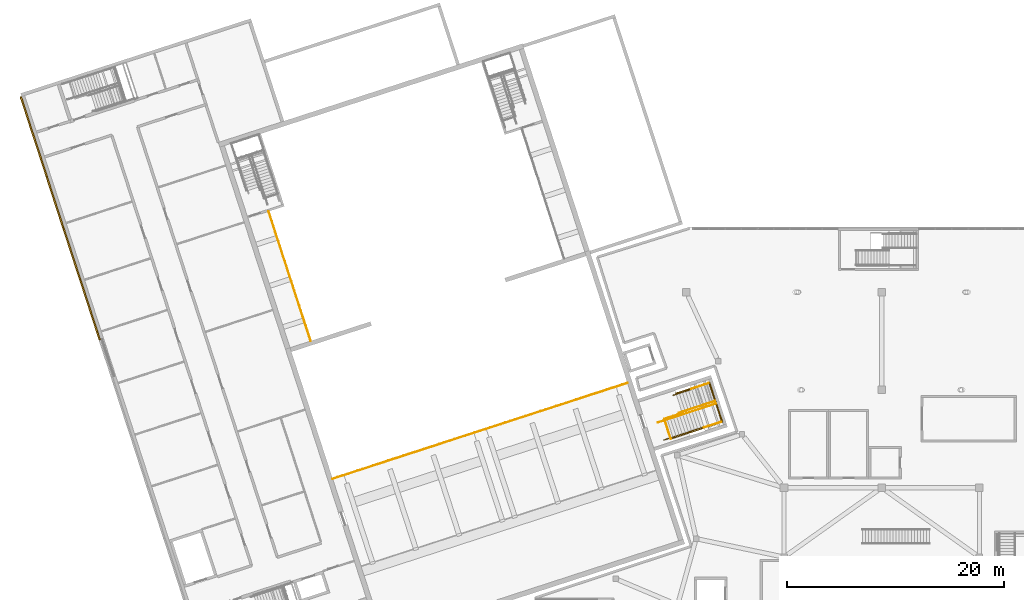
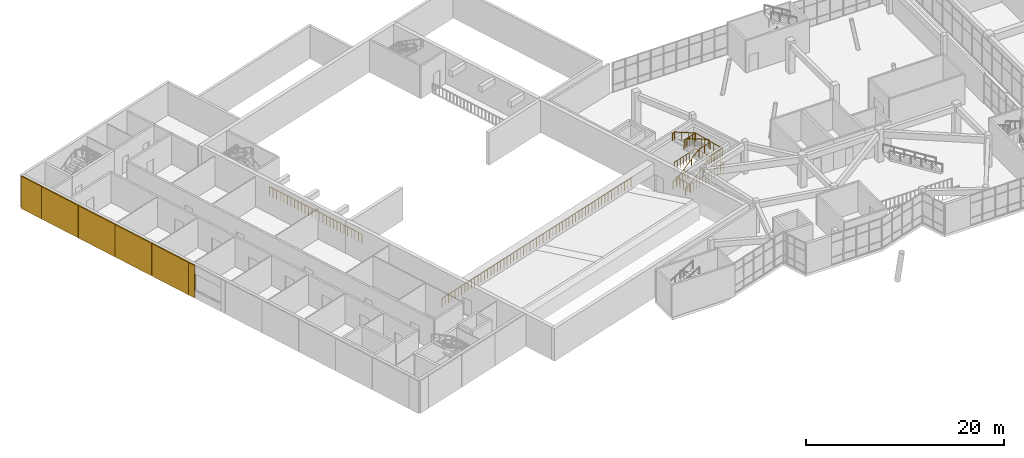
# One storey, part 61 of 66: 8 railings, 6 coverings.
"""IFC4 building model written with IfcOpenShell, lengths in metres."""

from ifc_helpers import new_model, si_unit, direction, frame, origin, origin_2d, place, context, subcontext, project, spatial, polyline, circle, outline, extrude, material, layer, layer_set, type_object, element, save


model = new_model("IFC4")

# Units and contexts
model_context = context("Model", 3, precision=1e-05, world=origin(), true_north=direction((0.0, 1.0)))
body_context = subcontext(model_context, "Body", "Model", "MODEL_VIEW")
ifc_project = project(units=[si_unit("LENGTHUNIT", "METRE"), si_unit("AREAUNIT", "SQUARE_METRE"), si_unit("VOLUMEUNIT", "CUBIC_METRE"), si_unit("PLANEANGLEUNIT", "RADIAN"), si_unit("MASSUNIT", "GRAM", prefix="KILO")], contexts=[model_context])

# Site, building, storey
site_placement = place(None, origin())
site = spatial("IfcSite", under=ifc_project, at=site_placement, CompositionType="ELEMENT")
building_placement = place(site_placement, origin())
building = spatial("IfcBuilding", under=site, at=building_placement, Name="Tuart Plaza Theatre", CompositionType="ELEMENT")
storey_placement = place(building_placement, frame((0.0, 0.0, 5.5)))
storey = spatial("IfcBuildingStorey", under=building, at=storey_placement, Name="L01", CompositionType="ELEMENT", Elevation=5.5)

# Coverings
ifc_material_1 = material(Name="Zinc")
ifc_layer = layer(ifc_material_1, 0.14990234375)
ifc_layer_set = layer_set([ifc_layer], Name="COVERING-ZINC-RAINSCREEN150")
covering_type = type_object("IfcCoveringType", Name="COVERING-ZINC-RAINSCREEN150", PredefinedType="CLADDING", material=ifc_layer_set)
covering_1_placement = place(storey_placement, origin())
element("IfcCovering", 1, at=covering_1_placement, inside=storey, type_object=covering_type, Name="CL140", PredefinedType="CLADDING", context=body_context, shape_type="SweptSolid", body=[
    extrude(outline(polyline([(23.8984375, 69.584228515625), (23.654296875, 70.335693359375), (23.797119140625, 70.3818359375), (24.041259765625, 69.630615234375), (23.8984375, 69.584228515625)])), origin(), (0.0, 0.0, 1.0), 4.0),
])
covering_2_placement = place(storey_placement, origin())
element("IfcCovering", 2, at=covering_2_placement, inside=storey, type_object=covering_type, Name="CL141", PredefinedType="CLADDING", context=body_context, shape_type="SweptSolid", body=[
    extrude(outline(polyline([(23.648193359375, 70.3544921875), (22.109375, 75.0908203125), (22.251953125, 75.13720703125), (23.791015625, 70.40087890625), (23.648193359375, 70.3544921875)])), origin(), (0.0, 0.0, 1.0), 4.0),
])
covering_3_placement = place(storey_placement, origin())
element("IfcCovering", 3, at=covering_3_placement, inside=storey, type_object=covering_type, Name="CL142", PredefinedType="CLADDING", context=body_context, shape_type="SweptSolid", body=[
    extrude(outline(polyline([(22.10302734375, 75.10986328125), (20.564208984375, 79.84619140625), (20.706787109375, 79.892578125), (22.245849609375, 75.15625), (22.10302734375, 75.10986328125)])), origin(), (0.0, 0.0, 1.0), 4.0),
])
covering_4_placement = place(storey_placement, origin())
element("IfcCovering", 4, at=covering_4_placement, inside=storey, type_object=covering_type, Name="CL143", PredefinedType="CLADDING", context=body_context, shape_type="SweptSolid", body=[
    extrude(outline(polyline([(20.55810546875, 79.865234375), (19.01904296875, 84.601318359375), (19.161865234375, 84.647705078125), (20.70068359375, 79.91162109375), (20.55810546875, 79.865234375)])), origin(), (0.0, 0.0, 1.0), 4.0),
])
covering_5_placement = place(storey_placement, origin())
element("IfcCovering", 5, at=covering_5_placement, inside=storey, type_object=covering_type, Name="CL144", PredefinedType="CLADDING", context=body_context, shape_type="SweptSolid", body=[
    extrude(outline(polyline([(19.012939453125, 84.62060546875), (17.47412109375, 89.356689453125), (17.61669921875, 89.403076171875), (19.155517578125, 84.666748046875), (19.012939453125, 84.62060546875)])), origin(), (0.0, 0.0, 1.0), 4.0),
])
covering_6_placement = place(storey_placement, origin())
element("IfcCovering", 6, at=covering_6_placement, inside=storey, type_object=covering_type, Name="CL145", PredefinedType="CLADDING", context=body_context, shape_type="SweptSolid", body=[
    extrude(outline(polyline([(17.468017578125, 89.375732421875), (16.62109375, 91.981689453125), (16.763916015625, 92.028076171875), (17.610595703125, 89.422119140625), (17.468017578125, 89.375732421875)])), origin(), (0.0, 0.0, 1.0), 4.0),
])

# Railings
ifc_material_2 = material(Name="Steel Grade C350L0", Category="steel")
railing_type_1 = type_object("IfcRailingType", Name="RAILING Guard 1100", PredefinedType="GUARDRAIL", material=ifc_material_2)
railing_1_placement = place(storey_placement, frame((76.571533203125, 60.490966796875, 0.0)))
element("IfcRailing", 7, at=railing_1_placement, inside=storey, type_object=railing_type_1, Name="GR37", PredefinedType="GUARDRAIL", context=body_context, shape_type="SweptSolid", body=[
    extrude(circle(Radius=0.02490234375, at=origin_2d()), frame((0.0, 0.0, 1.0751953125), z_axis=(-0.309065998639, 0.951040592449, 0.0), x_axis=(-0.951040592449, -0.309065998639, 0.0)), (0.0, 0.0, 1.0), 1.925048828125),
    extrude(circle(Radius=0.02490234375, at=origin_2d()), frame((-0.594970703125, 1.830810546875, 1.0751953125), z_axis=(0.951035090951, 0.309082927028, 0.0), x_axis=(-0.309082927028, 0.951035090951, 0.0)), (0.0, 0.0, 1.0), 1.755126953125),
    extrude(circle(Radius=0.02001953125, at=origin_2d()), origin(), (0.0, 0.0, 1.0), 1.050048828125),
    extrude(circle(Radius=0.02001953125, at=origin_2d()), frame((-0.148681640625, 0.457763671875, 0.0)), (0.0, 0.0, 1.0), 1.050048828125),
    extrude(circle(Radius=0.02001953125, at=origin_2d()), frame((-0.29736328125, 0.91552734375, 0.0)), (0.0, 0.0, 1.0), 1.050048828125),
    extrude(circle(Radius=0.02001953125, at=origin_2d()), frame((-0.4462890625, 1.373046875, 0.0)), (0.0, 0.0, 1.0), 1.050048828125),
    extrude(circle(Radius=0.02001953125, at=origin_2d()), frame((-0.594970703125, 1.830810546875, 0.0)), (0.0, 0.0, 1.0), 1.050048828125),
    extrude(circle(Radius=0.02001953125, at=origin_2d()), frame((-0.177734375, 1.96630859375, 0.0)), (0.0, 0.0, 1.0), 1.050048828125),
    extrude(circle(Radius=0.02001953125, at=origin_2d()), frame((0.23974609375, 2.10205078125, 0.0)), (0.0, 0.0, 1.0), 1.050048828125),
    extrude(circle(Radius=0.02001953125, at=origin_2d()), frame((0.656982421875, 2.23779296875, 0.0)), (0.0, 0.0, 1.0), 1.050048828125),
    extrude(circle(Radius=0.02001953125, at=origin_2d()), frame((1.07421875, 2.373291015625, 0.0)), (0.0, 0.0, 1.0), 1.050048828125),
])
railing_2_placement = place(storey_placement, frame((77.069580078125, 64.65380859375, 0.0)))
element("IfcRailing", 8, at=railing_2_placement, inside=storey, type_object=railing_type_1, Name="GR38", PredefinedType="GUARDRAIL", context=body_context, shape_type="SweptSolid", body=[
    extrude(circle(Radius=0.02490234375, at=origin_2d()), frame((0.0, 0.0, 1.0751953125), z_axis=(-0.309700291463, 0.950834228174, 0.0), x_axis=(-0.950834228174, -0.309700291463, 0.0)), (0.0, 0.0, 1.0), 0.044921875),
    extrude(circle(Radius=0.02490234375, at=origin_2d()), frame((-0.013916015625, 0.042724609375, 1.0751953125), z_axis=(0.951056113966, 0.309018232614, 0.0), x_axis=(-0.309018232614, 0.951056113966, 0.0)), (0.0, 0.0, 1.0), 3.255126953125),
    extrude(circle(Radius=0.02490234375, at=origin_2d()), frame((3.081787109375, 1.048583984375, 1.0751953125), z_axis=(0.30900864294, -0.9510592298, 0.0), x_axis=(0.9510592298, 0.30900864294, 0.0)), (0.0, 0.0, 1.0), 3.85009765625),
    extrude(circle(Radius=0.02490234375, at=origin_2d()), frame((4.271484375, -2.613037109375, 1.0751953125), z_axis=(-0.951051239427, -0.309033234433, 0.0), x_axis=(0.309033234433, -0.951051239427, 0.0)), (0.0, 0.0, 1.0), 5.014892578125),
    extrude(circle(Radius=0.02001953125, at=origin_2d()), origin(), (0.0, 0.0, 1.0), 1.050048828125),
    extrude(circle(Radius=0.02001953125, at=origin_2d()), frame((-0.013916015625, 0.042724609375, 0.0)), (0.0, 0.0, 1.0), 1.050048828125),
    extrude(circle(Radius=0.02001953125, at=origin_2d()), frame((0.42822265625, 0.1865234375, 0.0)), (0.0, 0.0, 1.0), 1.050048828125),
    extrude(circle(Radius=0.02001953125, at=origin_2d()), frame((0.87060546875, 0.330078125, 0.0)), (0.0, 0.0, 1.0), 1.050048828125),
    extrude(circle(Radius=0.02001953125, at=origin_2d()), frame((1.312744140625, 0.473876953125, 0.0)), (0.0, 0.0, 1.0), 1.050048828125),
    extrude(circle(Radius=0.02001953125, at=origin_2d()), frame((1.755126953125, 0.617431640625, 0.0)), (0.0, 0.0, 1.0), 1.050048828125),
    extrude(circle(Radius=0.02001953125, at=origin_2d()), frame((2.197265625, 0.76123046875, 0.0)), (0.0, 0.0, 1.0), 1.050048828125),
    extrude(circle(Radius=0.02001953125, at=origin_2d()), frame((2.6396484375, 0.90478515625, 0.0)), (0.0, 0.0, 1.0), 1.050048828125),
    extrude(circle(Radius=0.02001953125, at=origin_2d()), frame((3.081787109375, 1.048583984375, 0.0)), (0.0, 0.0, 1.0), 1.050048828125),
    extrude(circle(Radius=0.02001953125, at=origin_2d()), frame((3.23046875, 0.5908203125, 0.0)), (0.0, 0.0, 1.0), 1.050048828125),
    extrude(circle(Radius=0.02001953125, at=origin_2d()), frame((3.379150390625, 0.13330078125, 0.0)), (0.0, 0.0, 1.0), 1.050048828125),
    extrude(circle(Radius=0.02001953125, at=origin_2d()), frame((3.52783203125, -0.324462890625, 0.0)), (0.0, 0.0, 1.0), 1.050048828125),
    extrude(circle(Radius=0.02001953125, at=origin_2d()), frame((3.6767578125, -0.7822265625, 0.0)), (0.0, 0.0, 1.0), 1.050048828125),
    extrude(circle(Radius=0.02001953125, at=origin_2d()), frame((3.825439453125, -1.239990234375, 0.0)), (0.0, 0.0, 1.0), 1.050048828125),
    extrude(circle(Radius=0.02001953125, at=origin_2d()), frame((3.97412109375, -1.69775390625, 0.0)), (0.0, 0.0, 1.0), 1.050048828125),
    extrude(circle(Radius=0.02001953125, at=origin_2d()), frame((4.122802734375, -2.1552734375, 0.0)), (0.0, 0.0, 1.0), 1.050048828125),
    extrude(circle(Radius=0.02001953125, at=origin_2d()), frame((4.271484375, -2.613037109375, 0.0)), (0.0, 0.0, 1.0), 1.050048828125),
    extrude(circle(Radius=0.02001953125, at=origin_2d()), frame((3.837890625, -2.75390625, 0.0)), (0.0, 0.0, 1.0), 1.050048828125),
    extrude(circle(Radius=0.02001953125, at=origin_2d()), frame((3.404296875, -2.894775390625, 0.0)), (0.0, 0.0, 1.0), 1.050048828125),
    extrude(circle(Radius=0.02001953125, at=origin_2d()), frame((2.970703125, -3.03564453125, 0.0)), (0.0, 0.0, 1.0), 1.050048828125),
    extrude(circle(Radius=0.02001953125, at=origin_2d()), frame((2.537109375, -3.176513671875, 0.0)), (0.0, 0.0, 1.0), 1.050048828125),
    extrude(circle(Radius=0.02001953125, at=origin_2d()), frame((2.103515625, -3.3173828125, 0.0)), (0.0, 0.0, 1.0), 1.050048828125),
    extrude(circle(Radius=0.02001953125, at=origin_2d()), frame((1.669921875, -3.45849609375, 0.0)), (0.0, 0.0, 1.0), 1.050048828125),
    extrude(circle(Radius=0.02001953125, at=origin_2d()), frame((1.236328125, -3.599365234375, 0.0)), (0.0, 0.0, 1.0), 1.050048828125),
    extrude(circle(Radius=0.02001953125, at=origin_2d()), frame((0.802734375, -3.740234375, 0.0)), (0.0, 0.0, 1.0), 1.050048828125),
    extrude(circle(Radius=0.02001953125, at=origin_2d()), frame((0.369140625, -3.881103515625, 0.0)), (0.0, 0.0, 1.0), 1.050048828125),
    extrude(circle(Radius=0.02001953125, at=origin_2d()), frame((-0.064453125, -4.02197265625, 0.0)), (0.0, 0.0, 1.0), 1.050048828125),
    extrude(circle(Radius=0.02001953125, at=origin_2d()), frame((-0.498046875, -4.162841796875, 0.0)), (0.0, 0.0, 1.0), 1.050048828125),
])
railing_3_placement = place(storey_placement, frame((79.618408203125, 61.53369140625, 2.0)))
element("IfcRailing", 9, at=railing_3_placement, inside=storey, type_object=railing_type_1, Name="GR46", PredefinedType="GUARDRAIL", context=body_context, shape_type="SweptSolid", body=[
    extrude(circle(Radius=0.02490234375, at=origin_2d()), frame((0.0, 0.0, 1.0751953125), z_axis=(0.951060843481, 0.309003676349, 0.0), x_axis=(-0.309003676349, 0.951060843481, 0.0)), (0.0, 0.0, 1.0), 1.675048828125),
    extrude(circle(Radius=0.02001953125, at=origin_2d()), origin(), (0.0, 0.0, 1.0), 1.050048828125),
    extrude(circle(Radius=0.02001953125, at=origin_2d()), frame((0.398193359375, 0.12939453125, 0.0)), (0.0, 0.0, 1.0), 1.050048828125),
    extrude(circle(Radius=0.02001953125, at=origin_2d()), frame((0.79638671875, 0.2587890625, 0.0)), (0.0, 0.0, 1.0), 1.050048828125),
    extrude(circle(Radius=0.02001953125, at=origin_2d()), frame((1.19482421875, 0.38818359375, 0.0)), (0.0, 0.0, 1.0), 1.050048828125),
    extrude(circle(Radius=0.02001953125, at=origin_2d()), frame((1.593017578125, 0.517578125, 0.0)), (0.0, 0.0, 1.0), 1.050048828125),
])
railing_4_placement = place(storey_placement, frame((80.052490234375, 65.61767578125, 2.0)))
element("IfcRailing", 10, at=railing_4_placement, inside=storey, type_object=railing_type_1, Name="GR47", PredefinedType="GUARDRAIL", context=body_context, shape_type="SweptSolid", body=[
    extrude(circle(Radius=0.02490234375, at=origin_2d()), frame((0.0, 0.0, 1.0751953125), z_axis=(-0.951060843481, -0.309003676349, 0.0), x_axis=(0.309003676349, -0.951060843481, 0.0)), (0.0, 0.0, 1.0), 1.675048828125),
    extrude(circle(Radius=0.02001953125, at=origin_2d()), origin(), (0.0, 0.0, 1.0), 1.050048828125),
    extrude(circle(Radius=0.02001953125, at=origin_2d()), frame((-0.398193359375, -0.12939453125, 0.0)), (0.0, 0.0, 1.0), 1.050048828125),
    extrude(circle(Radius=0.02001953125, at=origin_2d()), frame((-0.79638671875, -0.2587890625, 0.0)), (0.0, 0.0, 1.0), 1.050048828125),
    extrude(circle(Radius=0.02001953125, at=origin_2d()), frame((-1.19482421875, -0.38818359375, 0.0)), (0.0, 0.0, 1.0), 1.050048828125),
    extrude(circle(Radius=0.02001953125, at=origin_2d()), frame((-1.593017578125, -0.517578125, 0.0)), (0.0, 0.0, 1.0), 1.050048828125),
])
railing_5_placement = place(storey_placement, frame((45.42431640625, 56.810791015625, -0.89990234375)))
element("IfcRailing", 11, at=railing_5_placement, inside=storey, type_object=railing_type_1, Name="GR108", PredefinedType="GUARDRAIL", context=body_context, shape_type="SweptSolid", body=[
    extrude(circle(Radius=0.02490234375, at=origin_2d()), frame((0.0, 0.0, 1.0751953125), z_axis=(0.951055495577, 0.309020135804, 0.0), x_axis=(-0.309020135804, 0.951055495577, 0.0)), (0.0, 0.0, 1.0), 28.550048828125),
    extrude(circle(Radius=0.02001953125, at=origin_2d()), origin(), (0.0, 0.0, 1.0), 1.050048828125),
    extrude(circle(Radius=0.02001953125, at=origin_2d()), frame((0.46826171875, 0.152099609375, 0.0)), (0.0, 0.0, 1.0), 1.050048828125),
    extrude(circle(Radius=0.02001953125, at=origin_2d()), frame((0.936279296875, 0.30419921875, 0.0)), (0.0, 0.0, 1.0), 1.050048828125),
    extrude(circle(Radius=0.02001953125, at=origin_2d()), frame((1.404541015625, 0.456298828125, 0.0)), (0.0, 0.0, 1.0), 1.050048828125),
    extrude(circle(Radius=0.02001953125, at=origin_2d()), frame((1.87255859375, 0.6083984375, 0.0)), (0.0, 0.0, 1.0), 1.050048828125),
    extrude(circle(Radius=0.02001953125, at=origin_2d()), frame((2.3408203125, 0.760498046875, 0.0)), (0.0, 0.0, 1.0), 1.050048828125),
    extrude(circle(Radius=0.02001953125, at=origin_2d()), frame((2.808837890625, 0.91259765625, 0.0)), (0.0, 0.0, 1.0), 1.050048828125),
    extrude(circle(Radius=0.02001953125, at=origin_2d()), frame((3.277099609375, 1.064697265625, 0.0)), (0.0, 0.0, 1.0), 1.050048828125),
    extrude(circle(Radius=0.02001953125, at=origin_2d()), frame((3.7451171875, 1.216796875, 0.0)), (0.0, 0.0, 1.0), 1.050048828125),
    extrude(circle(Radius=0.02001953125, at=origin_2d()), frame((4.21337890625, 1.368896484375, 0.0)), (0.0, 0.0, 1.0), 1.050048828125),
    extrude(circle(Radius=0.02001953125, at=origin_2d()), frame((4.681396484375, 1.521240234375, 0.0)), (0.0, 0.0, 1.0), 1.050048828125),
    extrude(circle(Radius=0.02001953125, at=origin_2d()), frame((5.149658203125, 1.67333984375, 0.0)), (0.0, 0.0, 1.0), 1.050048828125),
    extrude(circle(Radius=0.02001953125, at=origin_2d()), frame((5.61767578125, 1.825439453125, 0.0)), (0.0, 0.0, 1.0), 1.050048828125),
    extrude(circle(Radius=0.02001953125, at=origin_2d()), frame((6.0859375, 1.9775390625, 0.0)), (0.0, 0.0, 1.0), 1.050048828125),
    extrude(circle(Radius=0.02001953125, at=origin_2d()), frame((6.553955078125, 2.129638671875, 0.0)), (0.0, 0.0, 1.0), 1.050048828125),
    extrude(circle(Radius=0.02001953125, at=origin_2d()), frame((7.022216796875, 2.28173828125, 0.0)), (0.0, 0.0, 1.0), 1.050048828125),
    extrude(circle(Radius=0.02001953125, at=origin_2d()), frame((7.490478515625, 2.433837890625, 0.0)), (0.0, 0.0, 1.0), 1.050048828125),
    extrude(circle(Radius=0.02001953125, at=origin_2d()), frame((7.95849609375, 2.5859375, 0.0)), (0.0, 0.0, 1.0), 1.050048828125),
    extrude(circle(Radius=0.02001953125, at=origin_2d()), frame((8.4267578125, 2.738037109375, 0.0)), (0.0, 0.0, 1.0), 1.050048828125),
    extrude(circle(Radius=0.02001953125, at=origin_2d()), frame((8.894775390625, 2.89013671875, 0.0)), (0.0, 0.0, 1.0), 1.050048828125),
    extrude(circle(Radius=0.02001953125, at=origin_2d()), frame((9.363037109375, 3.042236328125, 0.0)), (0.0, 0.0, 1.0), 1.050048828125),
    extrude(circle(Radius=0.02001953125, at=origin_2d()), frame((9.8310546875, 3.1943359375, 0.0)), (0.0, 0.0, 1.0), 1.050048828125),
    extrude(circle(Radius=0.02001953125, at=origin_2d()), frame((10.29931640625, 3.346435546875, 0.0)), (0.0, 0.0, 1.0), 1.050048828125),
    extrude(circle(Radius=0.02001953125, at=origin_2d()), frame((10.767333984375, 3.49853515625, 0.0)), (0.0, 0.0, 1.0), 1.050048828125),
    extrude(circle(Radius=0.02001953125, at=origin_2d()), frame((11.235595703125, 3.650634765625, 0.0)), (0.0, 0.0, 1.0), 1.050048828125),
    extrude(circle(Radius=0.02001953125, at=origin_2d()), frame((11.70361328125, 3.802734375, 0.0)), (0.0, 0.0, 1.0), 1.050048828125),
    extrude(circle(Radius=0.02001953125, at=origin_2d()), frame((12.171875, 3.954833984375, 0.0)), (0.0, 0.0, 1.0), 1.050048828125),
    extrude(circle(Radius=0.02001953125, at=origin_2d()), frame((12.639892578125, 4.10693359375, 0.0)), (0.0, 0.0, 1.0), 1.050048828125),
    extrude(circle(Radius=0.02001953125, at=origin_2d()), frame((13.108154296875, 4.259033203125, 0.0)), (0.0, 0.0, 1.0), 1.050048828125),
    extrude(circle(Radius=0.02001953125, at=origin_2d()), frame((13.576171875, 4.4111328125, 0.0)), (0.0, 0.0, 1.0), 1.050048828125),
    extrude(circle(Radius=0.02001953125, at=origin_2d()), frame((14.04443359375, 4.5634765625, 0.0)), (0.0, 0.0, 1.0), 1.050048828125),
    extrude(circle(Radius=0.02001953125, at=origin_2d()), frame((14.5126953125, 4.715576171875, 0.0)), (0.0, 0.0, 1.0), 1.050048828125),
    extrude(circle(Radius=0.02001953125, at=origin_2d()), frame((14.980712890625, 4.86767578125, 0.0)), (0.0, 0.0, 1.0), 1.050048828125),
    extrude(circle(Radius=0.02001953125, at=origin_2d()), frame((15.448974609375, 5.019775390625, 0.0)), (0.0, 0.0, 1.0), 1.050048828125),
    extrude(circle(Radius=0.02001953125, at=origin_2d()), frame((15.9169921875, 5.171875, 0.0)), (0.0, 0.0, 1.0), 1.050048828125),
    extrude(circle(Radius=0.02001953125, at=origin_2d()), frame((16.38525390625, 5.323974609375, 0.0)), (0.0, 0.0, 1.0), 1.050048828125),
    extrude(circle(Radius=0.02001953125, at=origin_2d()), frame((16.853271484375, 5.47607421875, 0.0)), (0.0, 0.0, 1.0), 1.050048828125),
    extrude(circle(Radius=0.02001953125, at=origin_2d()), frame((17.321533203125, 5.628173828125, 0.0)), (0.0, 0.0, 1.0), 1.050048828125),
    extrude(circle(Radius=0.02001953125, at=origin_2d()), frame((17.78955078125, 5.7802734375, 0.0)), (0.0, 0.0, 1.0), 1.050048828125),
    extrude(circle(Radius=0.02001953125, at=origin_2d()), frame((18.2578125, 5.932373046875, 0.0)), (0.0, 0.0, 1.0), 1.050048828125),
    extrude(circle(Radius=0.02001953125, at=origin_2d()), frame((18.725830078125, 6.08447265625, 0.0)), (0.0, 0.0, 1.0), 1.050048828125),
    extrude(circle(Radius=0.02001953125, at=origin_2d()), frame((19.194091796875, 6.236572265625, 0.0)), (0.0, 0.0, 1.0), 1.050048828125),
    extrude(circle(Radius=0.02001953125, at=origin_2d()), frame((19.662109375, 6.388671875, 0.0)), (0.0, 0.0, 1.0), 1.050048828125),
    extrude(circle(Radius=0.02001953125, at=origin_2d()), frame((20.13037109375, 6.540771484375, 0.0)), (0.0, 0.0, 1.0), 1.050048828125),
    extrude(circle(Radius=0.02001953125, at=origin_2d()), frame((20.5986328125, 6.69287109375, 0.0)), (0.0, 0.0, 1.0), 1.050048828125),
    extrude(circle(Radius=0.02001953125, at=origin_2d()), frame((21.066650390625, 6.844970703125, 0.0)), (0.0, 0.0, 1.0), 1.050048828125),
    extrude(circle(Radius=0.02001953125, at=origin_2d()), frame((21.534912109375, 6.9970703125, 0.0)), (0.0, 0.0, 1.0), 1.050048828125),
    extrude(circle(Radius=0.02001953125, at=origin_2d()), frame((22.0029296875, 7.149169921875, 0.0)), (0.0, 0.0, 1.0), 1.050048828125),
    extrude(circle(Radius=0.02001953125, at=origin_2d()), frame((22.47119140625, 7.30126953125, 0.0)), (0.0, 0.0, 1.0), 1.050048828125),
    extrude(circle(Radius=0.02001953125, at=origin_2d()), frame((22.939208984375, 7.45361328125, 0.0)), (0.0, 0.0, 1.0), 1.050048828125),
    extrude(circle(Radius=0.02001953125, at=origin_2d()), frame((23.407470703125, 7.605712890625, 0.0)), (0.0, 0.0, 1.0), 1.050048828125),
    extrude(circle(Radius=0.02001953125, at=origin_2d()), frame((23.87548828125, 7.7578125, 0.0)), (0.0, 0.0, 1.0), 1.050048828125),
    extrude(circle(Radius=0.02001953125, at=origin_2d()), frame((24.34375, 7.909912109375, 0.0)), (0.0, 0.0, 1.0), 1.050048828125),
    extrude(circle(Radius=0.02001953125, at=origin_2d()), frame((24.811767578125, 8.06201171875, 0.0)), (0.0, 0.0, 1.0), 1.050048828125),
    extrude(circle(Radius=0.02001953125, at=origin_2d()), frame((25.280029296875, 8.214111328125, 0.0)), (0.0, 0.0, 1.0), 1.050048828125),
    extrude(circle(Radius=0.02001953125, at=origin_2d()), frame((25.748046875, 8.3662109375, 0.0)), (0.0, 0.0, 1.0), 1.050048828125),
    extrude(circle(Radius=0.02001953125, at=origin_2d()), frame((26.21630859375, 8.518310546875, 0.0)), (0.0, 0.0, 1.0), 1.050048828125),
    extrude(circle(Radius=0.02001953125, at=origin_2d()), frame((26.684326171875, 8.67041015625, 0.0)), (0.0, 0.0, 1.0), 1.050048828125),
    extrude(circle(Radius=0.02001953125, at=origin_2d()), frame((27.152587890625, 8.822509765625, 0.0)), (0.0, 0.0, 1.0), 1.050048828125),
])
railing_6_placement = place(storey_placement, frame((43.40185546875, 69.50732421875, 0.0)))
element("IfcRailing", 12, at=railing_6_placement, inside=storey, type_object=railing_type_1, Name="GR113", PredefinedType="GUARDRAIL", context=body_context, shape_type="SweptSolid", body=[
    extrude(circle(Radius=0.02490234375, at=origin_2d()), frame((0.0, 0.0, 1.0751953125), z_axis=(-0.309017011458, 0.951056510744, 0.0), x_axis=(-0.951056510744, -0.309017011458, 0.0)), (0.0, 0.0, 1.0), 12.550048828125),
    extrude(circle(Radius=0.02001953125, at=origin_2d()), origin(), (0.0, 0.0, 1.0), 1.050048828125),
    extrude(circle(Radius=0.02001953125, at=origin_2d()), frame((-0.149169921875, 0.458984375, 0.0)), (0.0, 0.0, 1.0), 1.050048828125),
    extrude(circle(Radius=0.02001953125, at=origin_2d()), frame((-0.29833984375, 0.918212890625, 0.0)), (0.0, 0.0, 1.0), 1.050048828125),
    extrude(circle(Radius=0.02001953125, at=origin_2d()), frame((-0.447509765625, 1.377197265625, 0.0)), (0.0, 0.0, 1.0), 1.050048828125),
    extrude(circle(Radius=0.02001953125, at=origin_2d()), frame((-0.5966796875, 1.836181640625, 0.0)), (0.0, 0.0, 1.0), 1.050048828125),
    extrude(circle(Radius=0.02001953125, at=origin_2d()), frame((-0.745849609375, 2.29541015625, 0.0)), (0.0, 0.0, 1.0), 1.050048828125),
    extrude(circle(Radius=0.02001953125, at=origin_2d()), frame((-0.89501953125, 2.75439453125, 0.0)), (0.0, 0.0, 1.0), 1.050048828125),
    extrude(circle(Radius=0.02001953125, at=origin_2d()), frame((-1.044189453125, 3.21337890625, 0.0)), (0.0, 0.0, 1.0), 1.050048828125),
    extrude(circle(Radius=0.02001953125, at=origin_2d()), frame((-1.193359375, 3.672607421875, 0.0)), (0.0, 0.0, 1.0), 1.050048828125),
    extrude(circle(Radius=0.02001953125, at=origin_2d()), frame((-1.342529296875, 4.131591796875, 0.0)), (0.0, 0.0, 1.0), 1.050048828125),
    extrude(circle(Radius=0.02001953125, at=origin_2d()), frame((-1.49169921875, 4.590576171875, 0.0)), (0.0, 0.0, 1.0), 1.050048828125),
    extrude(circle(Radius=0.02001953125, at=origin_2d()), frame((-1.640869140625, 5.0498046875, 0.0)), (0.0, 0.0, 1.0), 1.050048828125),
    extrude(circle(Radius=0.02001953125, at=origin_2d()), frame((-1.7900390625, 5.5087890625, 0.0)), (0.0, 0.0, 1.0), 1.050048828125),
    extrude(circle(Radius=0.02001953125, at=origin_2d()), frame((-1.93896484375, 5.9677734375, 0.0)), (0.0, 0.0, 1.0), 1.050048828125),
    extrude(circle(Radius=0.02001953125, at=origin_2d()), frame((-2.088134765625, 6.427001953125, 0.0)), (0.0, 0.0, 1.0), 1.050048828125),
    extrude(circle(Radius=0.02001953125, at=origin_2d()), frame((-2.2373046875, 6.885986328125, 0.0)), (0.0, 0.0, 1.0), 1.050048828125),
    extrude(circle(Radius=0.02001953125, at=origin_2d()), frame((-2.386474609375, 7.34521484375, 0.0)), (0.0, 0.0, 1.0), 1.050048828125),
    extrude(circle(Radius=0.02001953125, at=origin_2d()), frame((-2.53564453125, 7.80419921875, 0.0)), (0.0, 0.0, 1.0), 1.050048828125),
    extrude(circle(Radius=0.02001953125, at=origin_2d()), frame((-2.684814453125, 8.26318359375, 0.0)), (0.0, 0.0, 1.0), 1.050048828125),
    extrude(circle(Radius=0.02001953125, at=origin_2d()), frame((-2.833984375, 8.722412109375, 0.0)), (0.0, 0.0, 1.0), 1.050048828125),
    extrude(circle(Radius=0.02001953125, at=origin_2d()), frame((-2.983154296875, 9.181396484375, 0.0)), (0.0, 0.0, 1.0), 1.050048828125),
    extrude(circle(Radius=0.02001953125, at=origin_2d()), frame((-3.13232421875, 9.640380859375, 0.0)), (0.0, 0.0, 1.0), 1.050048828125),
    extrude(circle(Radius=0.02001953125, at=origin_2d()), frame((-3.281494140625, 10.099609375, 0.0)), (0.0, 0.0, 1.0), 1.050048828125),
    extrude(circle(Radius=0.02001953125, at=origin_2d()), frame((-3.4306640625, 10.55859375, 0.0)), (0.0, 0.0, 1.0), 1.050048828125),
    extrude(circle(Radius=0.02001953125, at=origin_2d()), frame((-3.579833984375, 11.017578125, 0.0)), (0.0, 0.0, 1.0), 1.050048828125),
    extrude(circle(Radius=0.02001953125, at=origin_2d()), frame((-3.72900390625, 11.476806640625, 0.0)), (0.0, 0.0, 1.0), 1.050048828125),
    extrude(circle(Radius=0.02001953125, at=origin_2d()), frame((-3.878173828125, 11.935791015625, 0.0)), (0.0, 0.0, 1.0), 1.050048828125),
])
ifc_material_3 = material(Name="Steel Grade C350L0", Category="steel")
railing_type_2 = type_object("IfcRailingType", Name="RAILING Handrail 900", PredefinedType="HANDRAIL", material=ifc_material_3)
railing_7_placement = place(storey_placement, frame((75.387451171875, 61.9990234375, 0.0)))
element("IfcRailing", 13, at=railing_7_placement, inside=storey, type_object=railing_type_2, Name="HR27", PredefinedType="HANDRAIL", context=body_context, shape_type="SweptSolid", body=[
    extrude(circle(Radius=0.0224609375, at=origin_2d()), frame((0.0, 0.0, 0.87744140625), z_axis=(0.91641792704, 0.297502654672, 0.267713192544), x_axis=(-0.308773297186, 0.951135663796, 0.0)), (0.0, 0.0, 1.0), 0.622802734375),
    extrude(circle(Radius=0.0224609375, at=origin_2d()), frame((0.57080078125, 0.185302734375, 1.044189453125), z_axis=(0.831375721119, 0.270140520196, 0.485632072336), x_axis=(-0.309027520945, 0.951053095941, 0.0)), (0.0, 0.0, 1.0), 3.77490234375),
    extrude(circle(Radius=0.0224609375, at=origin_2d()), frame((3.709228515625, 1.205078125, 2.87744140625), z_axis=(0.951040401051, 0.309066587596, 0.0), x_axis=(-0.309066587596, 0.951040401051, 0.0)), (0.0, 0.0, 1.0), 1.699951171875),
    extrude(circle(Radius=0.0224609375, at=origin_2d()), frame((5.325927734375, 1.73046875, 2.87744140625), z_axis=(-0.230673403665, 0.71099966826, 0.664281004226), x_axis=(-0.951191832008, -0.308600224758, 0.0)), (0.0, 0.0, 1.0), 0.33447265625),
    extrude(circle(Radius=0.0224609375, at=origin_2d()), frame((5.248779296875, 1.96826171875, 3.099609375), z_axis=(-0.831378621502, -0.270101349036, 0.485648894736), x_axis=(0.308986014439, -0.951066581729, 0.0)), (0.0, 0.0, 1.0), 3.66064453125),
    extrude(circle(Radius=0.0224609375, at=origin_2d()), frame((2.205322265625, 0.9794921875, 4.87744140625), z_axis=(-0.951016131768, -0.309141257546, 0.0), x_axis=(0.309141257546, -0.951016131768, 0.0)), (0.0, 0.0, 1.0), 0.300048828125),
    extrude(circle(Radius=0.01513671875, at=origin_2d()), origin(), (0.0, 0.0, 1.0), 0.85498046875),
    extrude(circle(Radius=0.01513671875, at=origin_2d()), frame((0.57080078125, 0.185302734375, 0.166748046875)), (0.0, 0.0, 1.0), 0.85498046875),
    extrude(circle(Radius=0.01513671875, at=origin_2d()), frame((1.616943359375, 0.525146484375, 0.77783203125)), (0.0, 0.0, 1.0), 0.85498046875),
    extrude(circle(Radius=0.01513671875, at=origin_2d()), frame((2.6630859375, 0.865234375, 1.388916015625)), (0.0, 0.0, 1.0), 0.85498046875),
    extrude(circle(Radius=0.01513671875, at=origin_2d()), frame((3.709228515625, 1.205078125, 2.0)), (0.0, 0.0, 1.0), 0.85498046875),
    extrude(circle(Radius=0.01513671875, at=origin_2d()), frame((4.517578125, 1.4677734375, 2.0)), (0.0, 0.0, 1.0), 0.85498046875),
    extrude(circle(Radius=0.01513671875, at=origin_2d()), frame((5.325927734375, 1.73046875, 2.0)), (0.0, 0.0, 1.0), 0.85498046875),
    extrude(circle(Radius=0.01513671875, at=origin_2d()), frame((5.248779296875, 1.96826171875, 2.22216796875)), (0.0, 0.0, 1.0), 0.85498046875),
    extrude(circle(Radius=0.01513671875, at=origin_2d()), frame((4.234375, 1.638671875, 2.814697265625)), (0.0, 0.0, 1.0), 0.85498046875),
    extrude(circle(Radius=0.01513671875, at=origin_2d()), frame((3.2197265625, 1.30908203125, 3.407470703125)), (0.0, 0.0, 1.0), 0.85498046875),
    extrude(circle(Radius=0.01513671875, at=origin_2d()), frame((2.205322265625, 0.9794921875, 4.0)), (0.0, 0.0, 1.0), 0.85498046875),
    extrude(circle(Radius=0.01513671875, at=origin_2d()), frame((1.919921875, 0.88671875, 4.0)), (0.0, 0.0, 1.0), 0.85498046875),
])
railing_8_placement = place(storey_placement, frame((75.912841796875, 60.382080078125, 0.0)))
element("IfcRailing", 14, at=railing_8_placement, inside=storey, type_object=railing_type_2, Name="HR28", PredefinedType="HANDRAIL", context=body_context, shape_type="SweptSolid", body=[
    extrude(circle(Radius=0.0224609375, at=origin_2d()), frame((0.0, 0.0, 0.87744140625), z_axis=(0.916248123003, 0.297966869269, 0.267778120672), x_axis=(-0.309260889552, 0.950977235371, 0.0)), (0.0, 0.0, 1.0), 0.622802734375),
    extrude(circle(Radius=0.0224609375, at=origin_2d()), frame((0.570556640625, 0.185546875, 1.044189453125), z_axis=(0.831395691566, 0.27012599593, 0.485605962039), x_axis=(-0.309005778636, 0.951060160437, 0.0)), (0.0, 0.0, 1.0), 3.775146484375),
    extrude(circle(Radius=0.0224609375, at=origin_2d()), frame((3.709228515625, 1.205322265625, 2.87744140625), z_axis=(0.951040401051, 0.309066587596, 0.0), x_axis=(-0.309066587596, 0.951040401051, 0.0)), (0.0, 0.0, 1.0), 1.699951171875),
    extrude(circle(Radius=0.0224609375, at=origin_2d()), frame((5.325927734375, 1.730712890625, 2.87744140625), z_axis=(-0.308463713143, 0.949293738846, 0.060758004104), x_axis=(-0.951050780541, -0.309034646652, 0.0)), (0.0, 0.0, 1.0), 3.656494140625),
    extrude(circle(Radius=0.0224609375, at=origin_2d()), frame((4.197998046875, 5.201904296875, 3.099609375), z_axis=(-0.831378621502, -0.270101349036, 0.485648894736), x_axis=(0.308986014439, -0.951066581729, 0.0)), (0.0, 0.0, 1.0), 3.66064453125),
    extrude(circle(Radius=0.0224609375, at=origin_2d()), frame((1.154541015625, 4.213134765625, 4.87744140625), z_axis=(-0.950938293792, -0.309380609282, 0.0), x_axis=(0.309380609282, -0.950938293792, 0.0)), (0.0, 0.0, 1.0), 0.2998046875),
    extrude(circle(Radius=0.01513671875, at=origin_2d()), origin(), (0.0, 0.0, 1.0), 0.85498046875),
    extrude(circle(Radius=0.01513671875, at=origin_2d()), frame((0.570556640625, 0.185546875, 0.166748046875)), (0.0, 0.0, 1.0), 0.85498046875),
    extrude(circle(Radius=0.01513671875, at=origin_2d()), frame((1.61669921875, 0.525390625, 0.77783203125)), (0.0, 0.0, 1.0), 0.85498046875),
    extrude(circle(Radius=0.01513671875, at=origin_2d()), frame((2.6630859375, 0.865478515625, 1.388916015625)), (0.0, 0.0, 1.0), 0.85498046875),
    extrude(circle(Radius=0.01513671875, at=origin_2d()), frame((3.709228515625, 1.205322265625, 2.0)), (0.0, 0.0, 1.0), 0.85498046875),
    extrude(circle(Radius=0.01513671875, at=origin_2d()), frame((4.517578125, 1.468017578125, 2.0)), (0.0, 0.0, 1.0), 0.85498046875),
    extrude(circle(Radius=0.01513671875, at=origin_2d()), frame((5.325927734375, 1.730712890625, 2.0)), (0.0, 0.0, 1.0), 0.85498046875),
    extrude(circle(Radius=0.01513671875, at=origin_2d()), frame((4.949951171875, 2.8876953125, 2.073974609375)), (0.0, 0.0, 1.0), 0.85498046875),
    extrude(circle(Radius=0.01513671875, at=origin_2d()), frame((4.573974609375, 4.044921875, 2.148193359375)), (0.0, 0.0, 1.0), 0.85498046875),
    extrude(circle(Radius=0.01513671875, at=origin_2d()), frame((4.197998046875, 5.201904296875, 2.22216796875)), (0.0, 0.0, 1.0), 0.85498046875),
    extrude(circle(Radius=0.01513671875, at=origin_2d()), frame((3.18359375, 4.872314453125, 2.814697265625)), (0.0, 0.0, 1.0), 0.85498046875),
    extrude(circle(Radius=0.01513671875, at=origin_2d()), frame((2.1689453125, 4.542724609375, 3.407470703125)), (0.0, 0.0, 1.0), 0.85498046875),
    extrude(circle(Radius=0.01513671875, at=origin_2d()), frame((1.154541015625, 4.213134765625, 4.0)), (0.0, 0.0, 1.0), 0.85498046875),
    extrude(circle(Radius=0.01513671875, at=origin_2d()), frame((0.869384765625, 4.120361328125, 4.0)), (0.0, 0.0, 1.0), 0.85498046875),
])

save(model, "model.ifc")
